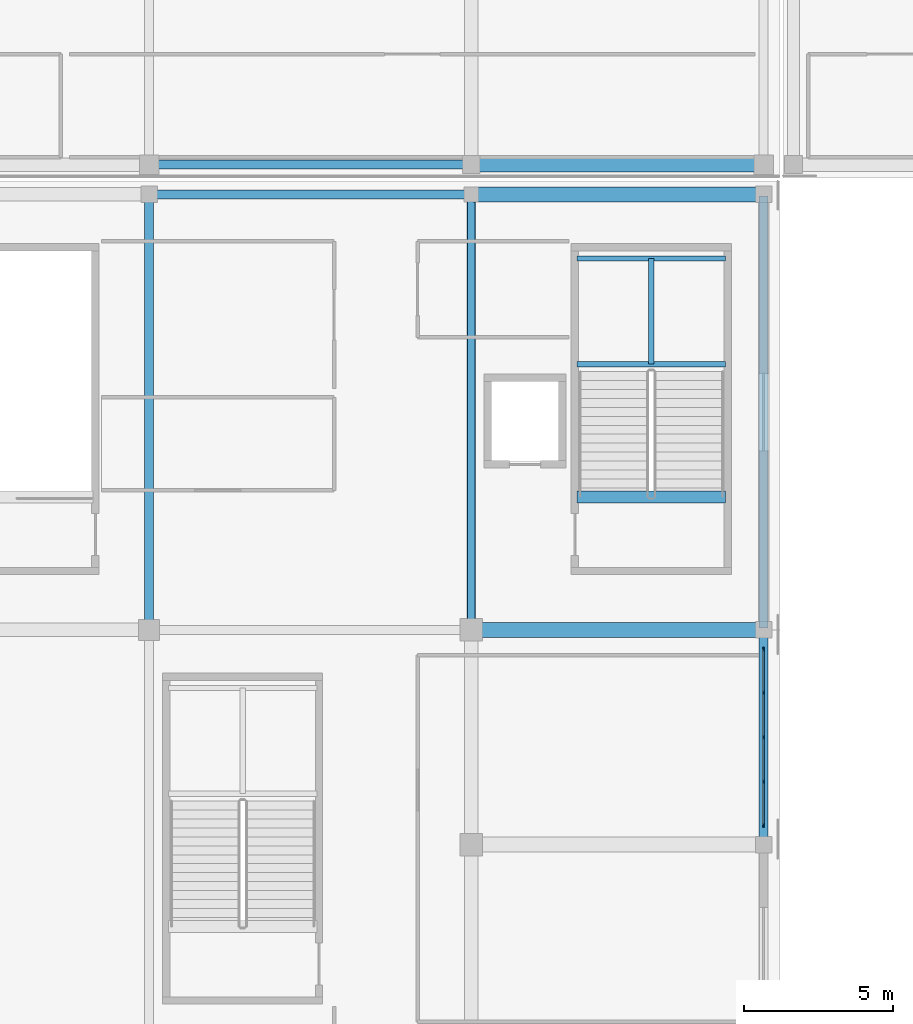
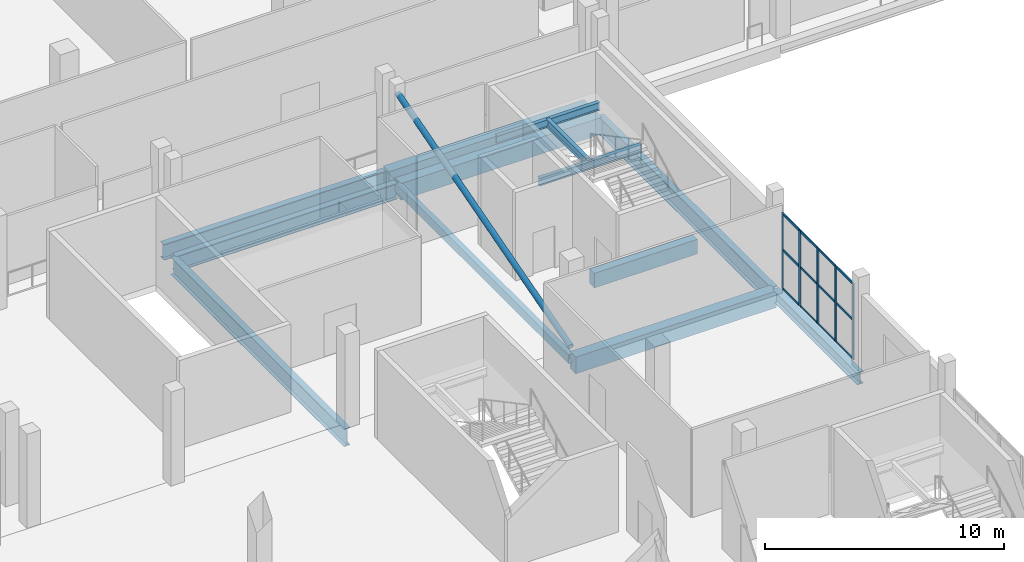
# One storey, part 44 of 129: 18 members, 13 beams, 1 element without a shape of its own.
"""IFC4 building model written with IfcOpenShell, lengths in metres."""

from ifc_helpers import new_model, si_unit, direction, frame, origin, origin_2d, place, context, subcontext, project, spatial, rectangle, hollow_rectangle, hollow_circle, i_section, extrude, material, material_profile, profile_set, type_object, element, aggregate, save


model = new_model("IFC4")

# Units and contexts
model_context = context("Model", 3, precision=1e-05, world=origin(), true_north=direction((0.0, 1.0)))
body_context = subcontext(model_context, "Body", "Model", "MODEL_VIEW")
ifc_project = project(units=[si_unit("LENGTHUNIT", "METRE"), si_unit("AREAUNIT", "SQUARE_METRE"), si_unit("VOLUMEUNIT", "CUBIC_METRE"), si_unit("PLANEANGLEUNIT", "RADIAN"), si_unit("MASSUNIT", "GRAM", prefix="KILO")], contexts=[model_context])

# Site, building, storey
site_placement = place(None, origin())
site = spatial("IfcSite", under=ifc_project, at=site_placement, CompositionType="ELEMENT")
building_placement = place(site_placement, origin())
building = spatial("IfcBuilding", under=site, at=building_placement, Name="Koshinbarg Plaza Stadium", CompositionType="ELEMENT")
storey_placement = place(building_placement, frame((0.0, 0.0, 5.39990234375)))
storey = spatial("IfcBuildingStorey", under=building, at=storey_placement, Name="L01", CompositionType="ELEMENT", Elevation=5.39990234375)

# Beams
ifc_material_1 = material(Name="Concrete C40/50", Category="concrete")
ifc_material_profile_1 = material_profile(ifc_material_1, rectangle(XDim=0.39990234375, YDim=0.75, at=origin_2d()), Name="RC 400x750")
ifc_profile_set_1 = profile_set([ifc_material_profile_1], Name="Concrete C40/50")
beam_type_1 = type_object("IfcBeamType", Name="BM-RCG-03", PredefinedType="USERDEFINED", material=ifc_profile_set_1)
beam_1_placement = place(storey_placement, frame((212.14990234375, 116.360107421875, -0.375), z_axis=(1.0, 0.0, 0.0), x_axis=(0.0, 1.0, 0.0)))
element("IfcBeam", 1, at=beam_1_placement, inside=storey, type_object=beam_type_1, Name="L01 stair landing header beam C10", ObjectType="GIRDER", PredefinedType="USERDEFINED", context=body_context, shape_type="SweptSolid", body=[
    extrude(rectangle(XDim=0.39990234375, YDim=0.75, at=origin_2d()), origin(), (0.0, 0.0, 1.0), 4.97021484375),
])
ifc_material_profile_2 = material_profile(ifc_material_1, rectangle(XDim=0.5, YDim=0.85009765625, at=origin_2d()), Name="RC 500x850")
ifc_profile_set_2 = profile_set([ifc_material_profile_2], Name="Concrete C40/50")
beam_type_2 = type_object("IfcBeamType", Name="BM-RCG-05", PredefinedType="USERDEFINED", material=ifc_profile_set_2)
for number, where, z_axis, x_axis, name in (
    (2, (208.659912109375, 111.89990234375, -0.744873046875), (1.0, 0.0, 0.0), (0.0, 1.0, 0.0), "L01 X girder Q/20-21"),
    (3, (208.659912109375, 126.5, -0.744873046875), (1.0, 0.0, 0.0), (0.0, 1.0, 0.0), "L01 X girder R/20-21"),
    (4, (208.659912109375, 127.5, -0.744873046875), (1.0, 0.0, 0.0), (0.0, 1.0, 0.0), "L01 X girder S/20-21"),
):
    element("IfcBeam", number, at=place(storey_placement, frame(where, z_axis=z_axis, x_axis=x_axis)), inside=storey, type_object=beam_type_2, Name=name, ObjectType="GIRDER", PredefinedType="USERDEFINED", context=body_context, shape_type="SweptSolid", body=[
        extrude(rectangle(XDim=0.5, YDim=0.85009765625, at=origin_2d()), origin(), (0.0, 0.0, 1.0), 9.68017578125),
    ])
ifc_material_2 = material(Name="Steel S355", Category="steel")
ifc_material_profile_3 = material_profile(ifc_material_2, i_section(OverallWidth=0.179931640625, OverallDepth=0.39990234375, WebThickness=0.008544921875, FlangeThickness=0.013427734375, at=origin_2d()), Name="IPE 400")
ifc_profile_set_3 = profile_set([ifc_material_profile_3], Name="Steel S355")
beam_type_3 = type_object("IfcBeamType", Name="BM-SBM-01", PredefinedType="BEAM", material=ifc_profile_set_3)
for number, where, z_axis, x_axis, name in (
    (5, (212.14990234375, 120.81005859375, 1.880126953125), (1.0, 0.0, 0.0), (0.0, 1.0, 0.0), "L01 Protected Exit Stair C10 landing trimmer beam 1"),
    (6, (212.14990234375, 124.35009765625, 1.880126953125), (1.0, 0.0, 0.0), (0.0, 1.0, 0.0), "L01 Protected Exit Stair C10 landing trimmer beam 2"),
):
    element("IfcBeam", number, at=place(storey_placement, frame(where, z_axis=z_axis, x_axis=x_axis)), inside=storey, type_object=beam_type_3, Name=name, PredefinedType="BEAM", context=body_context, shape_type="SweptSolid", body=[
        extrude(i_section(OverallWidth=0.179931640625, OverallDepth=0.39990234375, WebThickness=0.008544921875, FlangeThickness=0.013427734375, at=origin_2d()), origin(), (0.0, 0.0, 1.0), 4.97021484375),
    ])
beam_2_placement = place(storey_placement, frame((214.635009765625, 120.81005859375, 1.880126953125), z_axis=(0.0, 1.0, 0.0), x_axis=(-1.0, 0.0, 0.0)))
element("IfcBeam", 7, at=beam_2_placement, inside=storey, type_object=beam_type_3, Name="L01 Protected Exit Stair C10 landing trimmer beam 3", PredefinedType="BEAM", context=body_context, shape_type="SweptSolid", body=[
    extrude(i_section(OverallWidth=0.179931640625, OverallDepth=0.39990234375, WebThickness=0.008544921875, FlangeThickness=0.013427734375, at=origin_2d()), origin(), (0.0, 0.0, 1.0), 3.5400390625),
])
ifc_material_profile_4 = material_profile(ifc_material_2, i_section(OverallWidth=0.300048828125, OverallDepth=0.60009765625, WebThickness=0.015380859375, FlangeThickness=0.030029296875, at=origin_2d()), Name="HEB 600")
ifc_profile_set_4 = profile_set([ifc_material_profile_4], Name="Steel S355")
beam_type_4 = type_object("IfcBeamType", Name="BM-SGIR-02", PredefinedType="USERDEFINED", material=ifc_profile_set_4)
beam_3_placement = place(storey_placement, frame((218.39990234375, 104.760009765625, -0.619873046875), z_axis=(0.0, 1.0, 0.0), x_axis=(-1.0, 0.0, 0.0)))
element("IfcBeam", 8, at=beam_3_placement, inside=storey, type_object=beam_type_4, Name="L01 Y girder 21/P-Q", ObjectType="GIRDER", PredefinedType="USERDEFINED", context=body_context, shape_type="SweptSolid", body=[
    extrude(i_section(OverallWidth=0.300048828125, OverallDepth=0.60009765625, WebThickness=0.015380859375, FlangeThickness=0.030029296875, at=origin_2d()), origin(), (0.0, 0.0, 1.0), 7.080078125),
])
ifc_material_profile_5 = material_profile(ifc_material_2, i_section(OverallWidth=0.300048828125, OverallDepth=0.800048828125, WebThickness=0.017578125, FlangeThickness=0.032958984375, at=origin_2d()), Name="HEB 800")
ifc_profile_set_5 = profile_set([ifc_material_profile_5], Name="Steel S355")
beam_type_5 = type_object("IfcBeamType", Name="BM-SGIR-04", PredefinedType="USERDEFINED", material=ifc_profile_set_5)
for number, where, z_axis, x_axis, name in (
    (9, (197.860107421875, 126.5, -0.719970703125), (1.0, 0.0, 0.0), (0.0, 1.0, 0.0), "L01 X girder R/19-20"),
    (10, (197.860107421875, 127.5, -0.719970703125), (1.0, 0.0, 0.0), (0.0, 1.0, 0.0), "L01 X girder S/19-20"),
):
    element("IfcBeam", number, at=place(storey_placement, frame(where, z_axis=z_axis, x_axis=x_axis)), inside=storey, type_object=beam_type_5, Name=name, ObjectType="GIRDER", PredefinedType="USERDEFINED", context=body_context, shape_type="SweptSolid", body=[
        extrude(i_section(OverallWidth=0.300048828125, OverallDepth=0.800048828125, WebThickness=0.017578125, FlangeThickness=0.032958984375, at=origin_2d()), origin(), (0.0, 0.0, 1.0), 10.679931640625),
    ])
ifc_material_profile_6 = material_profile(ifc_material_2, i_section(OverallWidth=0.300048828125, OverallDepth=0.89990234375, WebThickness=0.0185546875, FlangeThickness=0.034912109375, at=origin_2d()), Name="HEB 900")
ifc_profile_set_6 = profile_set([ifc_material_profile_6], Name="Steel S355")
beam_type_6 = type_object("IfcBeamType", Name="BM-SGIR-05", PredefinedType="USERDEFINED", material=ifc_profile_set_6)
for number, where, z_axis, x_axis, name in (
    (11, (197.800048828125, 111.9599609375, -0.77001953125), (0.0, 1.0, 0.0), (-1.0, 0.0, 0.0), "L01 Y girder 19/Q-R"),
    (12, (218.39990234375, 111.9599609375, -0.77001953125), (0.0, 1.0, 0.0), (-1.0, 0.0, 0.0), "L01 Y girder 21/Q-R"),
):
    element("IfcBeam", number, at=place(storey_placement, frame(where, z_axis=z_axis, x_axis=x_axis)), inside=storey, type_object=beam_type_6, Name=name, ObjectType="GIRDER", PredefinedType="USERDEFINED", context=body_context, shape_type="SweptSolid", body=[
        extrude(i_section(OverallWidth=0.300048828125, OverallDepth=0.89990234375, WebThickness=0.0185546875, FlangeThickness=0.034912109375, at=origin_2d()), origin(), (0.0, 0.0, 1.0), 14.47998046875),
    ])
ifc_material_profile_7 = material_profile(ifc_material_2, hollow_rectangle(XDim=0.25, YDim=0.449951171875, WallThickness=0.01611328125, at=origin_2d()), Name="RHS 450x250x16")
ifc_profile_set_7 = profile_set([ifc_material_profile_7], Name="Steel S355")
beam_type_7 = type_object("IfcBeamType", Name="BM-SGIR-06", PredefinedType="USERDEFINED", material=ifc_profile_set_7)
beam_4_placement = place(storey_placement, frame((208.60009765625, 111.9599609375, -0.544921875), z_axis=(0.0, 1.0, 0.0), x_axis=(-1.0, 0.0, 0.0)))
element("IfcBeam", 13, at=beam_4_placement, inside=storey, type_object=beam_type_7, Name="L01 Y girder 20/Q-R", ObjectType="GIRDER", PredefinedType="USERDEFINED", context=body_context, shape_type="SweptSolid", body=[
    extrude(hollow_rectangle(XDim=0.25, YDim=0.449951171875, WallThickness=0.01611328125, at=origin_2d()), origin(), (0.0, 0.0, 1.0), 14.47998046875),
])

# Curtain wall, members
ifc_material_3 = material(Name="Thermally broken anodised aluminium and low-E double glazing", Category="aluminium")
curtain_wall_type = type_object("IfcCurtainWallType", Name="CW-SYS-05", PredefinedType="NOTDEFINED", material=ifc_material_3)
curtain_wall_placement = place(storey_placement, origin())
curtain_wall = element("IfcCurtainWall", 14, at=curtain_wall_placement, inside=storey, type_object=curtain_wall_type, Name="L01 unitised curtain wall CW-L01-020", PredefinedType="NOTDEFINED")
ifc_material_4 = material(Name="Anodised aluminium mullion", Category="aluminium")
ifc_material_profile_8 = material_profile(ifc_material_4, rectangle(XDim=0.06005859375, YDim=0.139892578125, at=origin_2d()), Name="ALU 60x140")
ifc_profile_set_8 = profile_set([ifc_material_profile_8], Name="Anodised aluminium mullion")
member_type_1 = type_object("IfcMemberType", Name="CW-MUL-01", PredefinedType="MULLION", material=ifc_profile_set_8)
member_1_placement = place(storey_placement, frame((218.39990234375, 111.25, 0.0), z_axis=(0.0, 0.0, 1.0), x_axis=(1.0, 0.0, 0.0)))
member_1 = element("IfcMember", 15, at=member_1_placement, type_object=member_type_1, Name="CW05 mullion 1", PredefinedType="MULLION", context=body_context, shape_type="SweptSolid", body=[
    extrude(rectangle(XDim=0.06005859375, YDim=0.139892578125, at=origin_2d()), origin(), (0.0, 0.0, 1.0), 3.880126953125),
])
member_2_placement = place(storey_placement, frame((218.39990234375, 109.7900390625, 0.0), z_axis=(0.0, 0.0, 1.0), x_axis=(1.0, 0.0, 0.0)))
member_2 = element("IfcMember", 16, at=member_2_placement, type_object=member_type_1, Name="CW05 mullion 2", PredefinedType="MULLION", context=body_context, shape_type="SweptSolid", body=[
    extrude(rectangle(XDim=0.06005859375, YDim=0.139892578125, at=origin_2d()), origin(), (0.0, 0.0, 1.0), 3.880126953125),
])
member_3_placement = place(storey_placement, frame((218.39990234375, 108.300048828125, 0.0), z_axis=(0.0, 0.0, 1.0), x_axis=(1.0, 0.0, 0.0)))
member_3 = element("IfcMember", 17, at=member_3_placement, type_object=member_type_1, Name="CW05 mullion 3", PredefinedType="MULLION", context=body_context, shape_type="SweptSolid", body=[
    extrude(rectangle(XDim=0.06005859375, YDim=0.139892578125, at=origin_2d()), origin(), (0.0, 0.0, 1.0), 3.880126953125),
])
member_4_placement = place(storey_placement, frame((218.39990234375, 106.81005859375, 0.0), z_axis=(0.0, 0.0, 1.0), x_axis=(1.0, 0.0, 0.0)))
member_4 = element("IfcMember", 18, at=member_4_placement, type_object=member_type_1, Name="CW05 mullion 4", PredefinedType="MULLION", context=body_context, shape_type="SweptSolid", body=[
    extrude(rectangle(XDim=0.06005859375, YDim=0.139892578125, at=origin_2d()), origin(), (0.0, 0.0, 1.0), 3.880126953125),
])
member_5_placement = place(storey_placement, frame((218.39990234375, 105.35009765625, 0.0), z_axis=(0.0, 0.0, 1.0), x_axis=(1.0, 0.0, 0.0)))
member_5 = element("IfcMember", 19, at=member_5_placement, type_object=member_type_1, Name="CW05 mullion 5", PredefinedType="MULLION", context=body_context, shape_type="SweptSolid", body=[
    extrude(rectangle(XDim=0.06005859375, YDim=0.139892578125, at=origin_2d()), origin(), (0.0, 0.0, 1.0), 3.880126953125),
])
ifc_material_5 = material(Name="Anodised aluminium transom", Category="aluminium")
ifc_material_profile_9 = material_profile(ifc_material_5, rectangle(XDim=0.06005859375, YDim=0.110107421875, at=origin_2d()), Name="ALU 60x110")
ifc_profile_set_9 = profile_set([ifc_material_profile_9], Name="Anodised aluminium transom")
member_type_2 = type_object("IfcMemberType", Name="CW-TRN-01", PredefinedType="USERDEFINED", material=ifc_profile_set_9)
member_6_placement = place(storey_placement, frame((218.39990234375, 111.219970703125, 0.030029296875), z_axis=(0.0, -1.0, 0.0), x_axis=(1.0, 0.0, 0.0)))
member_6 = element("IfcMember", 20, at=member_6_placement, type_object=member_type_2, Name="CW05 transom 1.1", ObjectType="TRANSOM", PredefinedType="USERDEFINED", context=body_context, shape_type="SweptSolid", body=[
    extrude(rectangle(XDim=0.06005859375, YDim=0.110107421875, at=origin_2d()), origin(), (0.0, 0.0, 1.0), 1.39990234375),
])
member_7_placement = place(storey_placement, frame((218.39990234375, 111.219970703125, 2.017578125), z_axis=(0.0, -1.0, 0.0), x_axis=(1.0, 0.0, 0.0)))
member_7 = element("IfcMember", 21, at=member_7_placement, type_object=member_type_2, Name="CW05 transom 1.2", ObjectType="TRANSOM", PredefinedType="USERDEFINED", context=body_context, shape_type="SweptSolid", body=[
    extrude(rectangle(XDim=0.06005859375, YDim=0.110107421875, at=origin_2d()), origin(), (0.0, 0.0, 1.0), 1.39990234375),
])
member_8_placement = place(storey_placement, frame((218.39990234375, 111.219970703125, 3.85009765625), z_axis=(0.0, -1.0, 0.0), x_axis=(1.0, 0.0, 0.0)))
member_8 = element("IfcMember", 22, at=member_8_placement, type_object=member_type_2, Name="CW05 transom 1.3", ObjectType="TRANSOM", PredefinedType="USERDEFINED", context=body_context, shape_type="SweptSolid", body=[
    extrude(rectangle(XDim=0.06005859375, YDim=0.110107421875, at=origin_2d()), origin(), (0.0, 0.0, 1.0), 1.39990234375),
])
member_9_placement = place(storey_placement, frame((218.39990234375, 109.760009765625, 0.030029296875), z_axis=(0.0, -1.0, 0.0), x_axis=(1.0, 0.0, 0.0)))
member_9 = element("IfcMember", 23, at=member_9_placement, type_object=member_type_2, Name="CW05 transom 2.1", ObjectType="TRANSOM", PredefinedType="USERDEFINED", context=body_context, shape_type="SweptSolid", body=[
    extrude(rectangle(XDim=0.06005859375, YDim=0.110107421875, at=origin_2d()), origin(), (0.0, 0.0, 1.0), 1.429931640625),
])
member_10_placement = place(storey_placement, frame((218.39990234375, 109.760009765625, 2.017578125), z_axis=(0.0, -1.0, 0.0), x_axis=(1.0, 0.0, 0.0)))
member_10 = element("IfcMember", 24, at=member_10_placement, type_object=member_type_2, Name="CW05 transom 2.2", ObjectType="TRANSOM", PredefinedType="USERDEFINED", context=body_context, shape_type="SweptSolid", body=[
    extrude(rectangle(XDim=0.06005859375, YDim=0.110107421875, at=origin_2d()), origin(), (0.0, 0.0, 1.0), 1.429931640625),
])
member_11_placement = place(storey_placement, frame((218.39990234375, 109.760009765625, 3.85009765625), z_axis=(0.0, -1.0, 0.0), x_axis=(1.0, 0.0, 0.0)))
member_11 = element("IfcMember", 25, at=member_11_placement, type_object=member_type_2, Name="CW05 transom 2.3", ObjectType="TRANSOM", PredefinedType="USERDEFINED", context=body_context, shape_type="SweptSolid", body=[
    extrude(rectangle(XDim=0.06005859375, YDim=0.110107421875, at=origin_2d()), origin(), (0.0, 0.0, 1.0), 1.429931640625),
])
member_12_placement = place(storey_placement, frame((218.39990234375, 108.27001953125, 0.030029296875), z_axis=(0.0, -1.0, 0.0), x_axis=(1.0, 0.0, 0.0)))
member_12 = element("IfcMember", 26, at=member_12_placement, type_object=member_type_2, Name="CW05 transom 3.1", ObjectType="TRANSOM", PredefinedType="USERDEFINED", context=body_context, shape_type="SweptSolid", body=[
    extrude(rectangle(XDim=0.06005859375, YDim=0.110107421875, at=origin_2d()), origin(), (0.0, 0.0, 1.0), 1.429931640625),
])
member_13_placement = place(storey_placement, frame((218.39990234375, 108.27001953125, 2.017578125), z_axis=(0.0, -1.0, 0.0), x_axis=(1.0, 0.0, 0.0)))
member_13 = element("IfcMember", 27, at=member_13_placement, type_object=member_type_2, Name="CW05 transom 3.2", ObjectType="TRANSOM", PredefinedType="USERDEFINED", context=body_context, shape_type="SweptSolid", body=[
    extrude(rectangle(XDim=0.06005859375, YDim=0.110107421875, at=origin_2d()), origin(), (0.0, 0.0, 1.0), 1.429931640625),
])
member_14_placement = place(storey_placement, frame((218.39990234375, 108.27001953125, 3.85009765625), z_axis=(0.0, -1.0, 0.0), x_axis=(1.0, 0.0, 0.0)))
member_14 = element("IfcMember", 28, at=member_14_placement, type_object=member_type_2, Name="CW05 transom 3.3", ObjectType="TRANSOM", PredefinedType="USERDEFINED", context=body_context, shape_type="SweptSolid", body=[
    extrude(rectangle(XDim=0.06005859375, YDim=0.110107421875, at=origin_2d()), origin(), (0.0, 0.0, 1.0), 1.429931640625),
])
member_15_placement = place(storey_placement, frame((218.39990234375, 106.780029296875, 0.030029296875), z_axis=(0.0, -1.0, 0.0), x_axis=(1.0, 0.0, 0.0)))
member_15 = element("IfcMember", 29, at=member_15_placement, type_object=member_type_2, Name="CW05 transom 4.1", ObjectType="TRANSOM", PredefinedType="USERDEFINED", context=body_context, shape_type="SweptSolid", body=[
    extrude(rectangle(XDim=0.06005859375, YDim=0.110107421875, at=origin_2d()), origin(), (0.0, 0.0, 1.0), 1.400146484375),
])
member_16_placement = place(storey_placement, frame((218.39990234375, 106.780029296875, 2.017578125), z_axis=(0.0, -1.0, 0.0), x_axis=(1.0, 0.0, 0.0)))
member_16 = element("IfcMember", 30, at=member_16_placement, type_object=member_type_2, Name="CW05 transom 4.2", ObjectType="TRANSOM", PredefinedType="USERDEFINED", context=body_context, shape_type="SweptSolid", body=[
    extrude(rectangle(XDim=0.06005859375, YDim=0.110107421875, at=origin_2d()), origin(), (0.0, 0.0, 1.0), 1.400146484375),
])
member_17_placement = place(storey_placement, frame((218.39990234375, 106.780029296875, 3.85009765625), z_axis=(0.0, -1.0, 0.0), x_axis=(1.0, 0.0, 0.0)))
member_17 = element("IfcMember", 31, at=member_17_placement, type_object=member_type_2, Name="CW05 transom 4.3", ObjectType="TRANSOM", PredefinedType="USERDEFINED", context=body_context, shape_type="SweptSolid", body=[
    extrude(rectangle(XDim=0.06005859375, YDim=0.110107421875, at=origin_2d()), origin(), (0.0, 0.0, 1.0), 1.400146484375),
])
aggregate(curtain_wall, [member_1, member_2, member_3, member_4, member_5, member_6, member_7, member_8, member_9, member_10, member_11, member_12, member_13, member_14, member_15, member_16, member_17])

# Member
ifc_material_profile_10 = material_profile(ifc_material_2, hollow_circle(Radius=0.136474609375, WallThickness=0.012451171875, at=origin_2d()), Name="CHS 273x12.5")
ifc_profile_set_10 = profile_set([ifc_material_profile_10], Name="Steel S355")
member_type_3 = type_object("IfcMemberType", Name="MB-BRACE-02", PredefinedType="BRACE", material=ifc_profile_set_10)
member_18_placement = place(storey_placement, frame((208.60009765625, 111.97998046875, 0.050048828125), z_axis=(0.0, 0.961092925393, 0.276225250038), x_axis=(-1.0, 0.0, 0.0)))
element("IfcMember", 32, at=member_18_placement, inside=storey, type_object=member_type_3, Name="L01 lateral frame brace 8", PredefinedType="BRACE", context=body_context, shape_type="SweptSolid", body=[
    extrude(hollow_circle(Radius=0.136474609375, WallThickness=0.012451171875, at=origin_2d()), origin(), (0.0, 0.0, 1.0), 15.0244140625),
])

save(model, "model.ifc")
